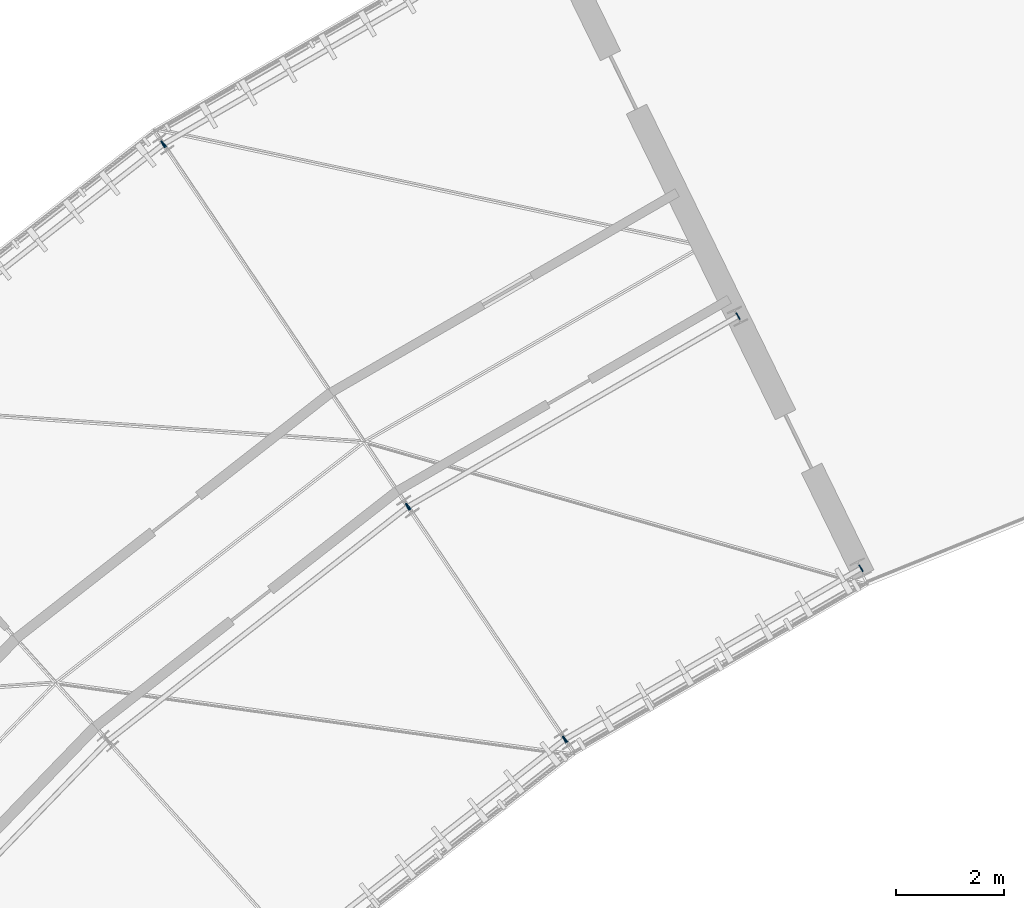
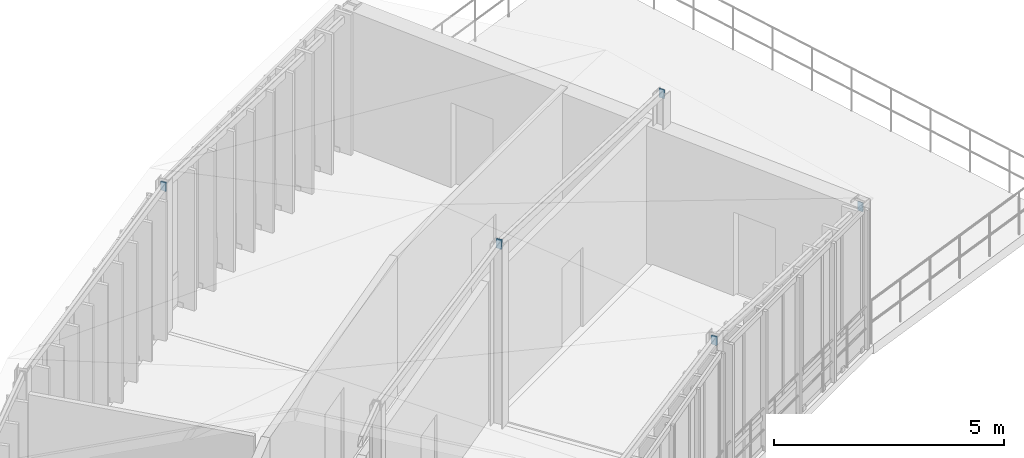
# One storey, part 16 of 25: 8 plates.
"""IFC4 building model written with IfcOpenShell, lengths in metres."""

from ifc_helpers import new_model, si_unit, direction, frame, origin, origin_2d, place, context, subcontext, project, spatial, rectangle, extrude, material, layer, layer_set, type_object, element, save


model = new_model("IFC4")

# Units and contexts
model_context = context("Model", 3, precision=1e-05, world=origin(), true_north=direction((0.0, 1.0)))
body_context = subcontext(model_context, "Body", "Model", "MODEL_VIEW")
ifc_project = project(units=[si_unit("LENGTHUNIT", "METRE"), si_unit("AREAUNIT", "SQUARE_METRE"), si_unit("VOLUMEUNIT", "CUBIC_METRE"), si_unit("PLANEANGLEUNIT", "RADIAN"), si_unit("MASSUNIT", "GRAM", prefix="KILO"), si_unit("THERMODYNAMICTEMPERATUREUNIT", "KELVIN"), si_unit("POWERUNIT", "WATT")], contexts=[model_context])

# Site, building, storey
site_placement = place(None, origin())
site = spatial("IfcSite", under=ifc_project, at=site_placement, CompositionType="ELEMENT")
building_placement = place(site_placement, origin())
building = spatial("IfcBuilding", under=site, at=building_placement, Name="Solvatero Civic Police Headquarters", CompositionType="ELEMENT")
storey_placement = place(building_placement, frame((0.0, 0.0, 25.5)))
storey = spatial("IfcBuildingStorey", under=building, at=storey_placement, Name="L06", CompositionType="ELEMENT", Elevation=25.5)

# Plates
ifc_material = material(Name="Steel S355", Category="steel")
ifc_layer = layer(ifc_material, 0.02001953125)
ifc_layer_set = layer_set([ifc_layer], Name="Steel S355")
plate_type = type_object("IfcPlateType", Name="PLT-CAP-20", PredefinedType="SHEET", material=ifc_layer_set)
for number, where, z_axis, x_axis, name in (
    (1, (74.128662109375, 66.765380859375, 3.39990234375), (0.0, 0.0, 1.0), (-0.866034130299, -0.499984884929, 0.0), "Hollow Section End Cap Plate 0195"),
    (2, (68.6318359375, 63.591796875, 3.7001953125), (0.0, 0.0, 1.0), (-0.866034130299, -0.499984884929, 0.0), "Hollow Section End Cap Plate 0196"),
    (3, (71.84912109375, 71.43896484375, 4.35791015625), (0.0, 0.0, 1.0), (-0.866025403784, -0.5, 0.0), "Hollow Section End Cap Plate 0197"),
    (4, (65.72412109375, 67.90283203125, 4.658203125), (0.0, 0.0, 1.0), (-0.866025403784, -0.5, 0.0), "Hollow Section End Cap Plate 0198"),
    (5, (61.194580078125, 74.6181640625, 3.7001953125), (0.0, 0.0, 1.0), (-0.866025403784, -0.5, 0.0), "Hollow Section End Cap Plate 0200"),
    (6, (68.6484375, 63.60302734375, 3.7001953125), (0.0, 0.0, 1.0), (-0.788010753607, -0.615661475326, 0.0), "Hollow Section End Cap Plate 0201"),
    (7, (65.74072265625, 67.9140625, 4.658203125), (0.0, 0.0, 1.0), (-0.788021498807, -0.61564772185, 0.0), "Hollow Section End Cap Plate 0203"),
    (8, (61.211181640625, 74.62939453125, 3.7001953125), (0.0, 0.0, 1.0), (-0.788000008167, -0.615675228614, 0.0), "Hollow Section End Cap Plate 0205"),
):
    element("IfcPlate", number, at=place(storey_placement, frame(where, z_axis=z_axis, x_axis=x_axis)), inside=storey, type_object=plate_type, Name=name, PredefinedType="SHEET", context=body_context, shape_type="SweptSolid", body=[
        extrude(rectangle(XDim=0.02001953125, YDim=0.139892578125, at=origin_2d()), origin(), (0.0, 0.0, 1.0), 0.239990234375),
    ])

save(model, "model.ifc")
